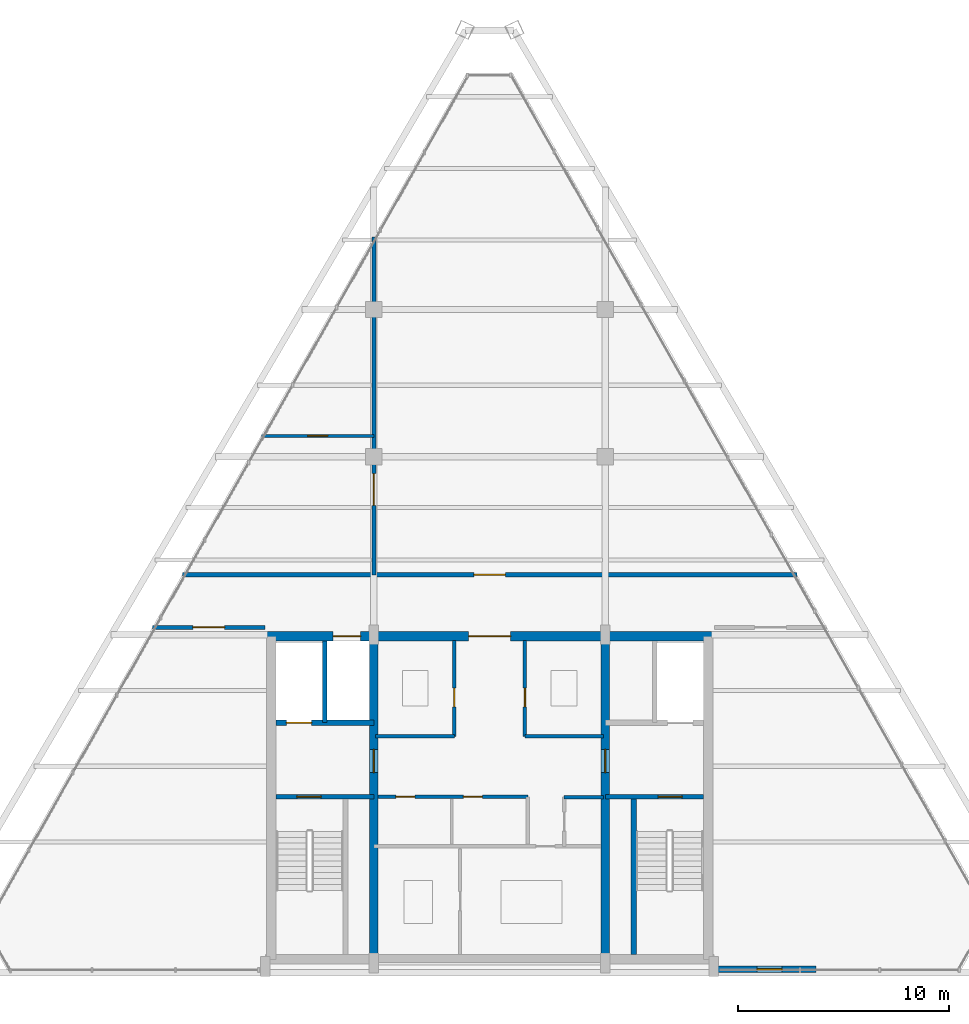
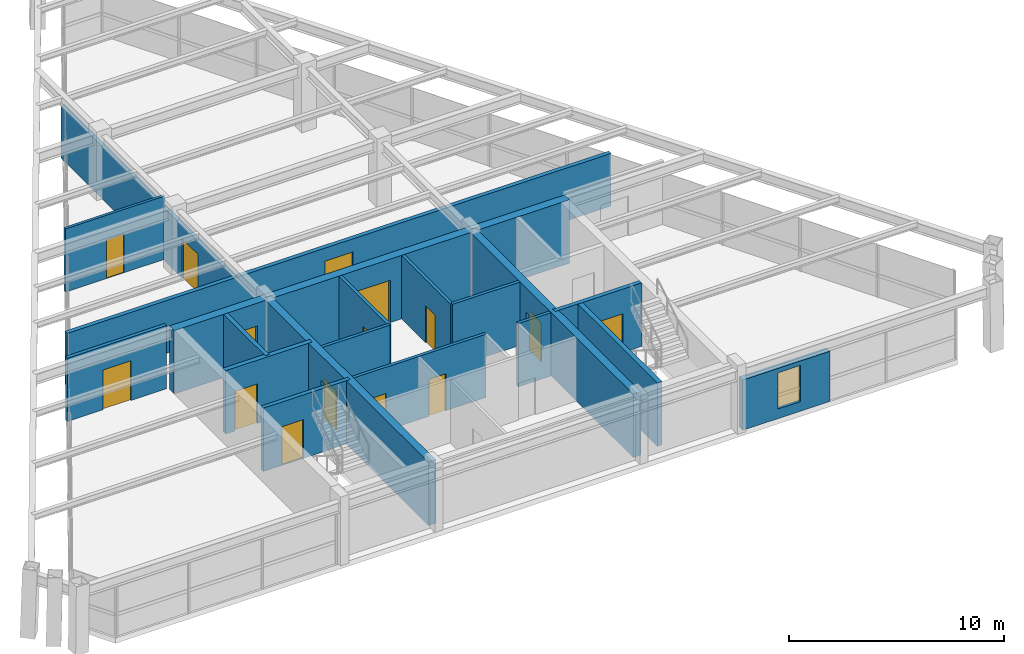
# One storey, part 10 of 12: 19 walls, 15 doors, 1 window, 16 openings.
"""IFC4 building model written with IfcOpenShell, lengths in metres."""

from ifc_helpers import new_model, si_unit, direction, frame, frame_2d, origin, place, context, subcontext, project, spatial, rectangle, extrude, source, transform, mapped, material, layer, layer_set, type_object, type_shapes, element, fill, save


model = new_model("IFC4")

# Units and contexts
model_context = context("Model", 3, precision=1e-05, world=origin(), true_north=direction((0.0, 1.0)))
body_context = subcontext(model_context, "Body", "Model", "MODEL_VIEW")
ifc_project = project(units=[si_unit("LENGTHUNIT", "METRE"), si_unit("AREAUNIT", "SQUARE_METRE"), si_unit("VOLUMEUNIT", "CUBIC_METRE"), si_unit("PLANEANGLEUNIT", "RADIAN"), si_unit("MASSUNIT", "GRAM", prefix="KILO")], contexts=[model_context])

# Site, building, storey
site_placement = place(None, origin())
site = spatial("IfcSite", under=ifc_project, at=site_placement, CompositionType="ELEMENT")
building_placement = place(site_placement, origin())
building = spatial("IfcBuilding", under=site, at=building_placement, Name="Varnakhor Terracotta Tower", CompositionType="ELEMENT")
storey_placement = place(building_placement, frame((0.0, 0.0, 313.60009765625)))
storey = spatial("IfcBuildingStorey", under=building, at=storey_placement, Name="L82 Crown", CompositionType="ELEMENT", Elevation=313.60009765625)

# Wall, openings, doors
ifc_material_1 = material(Name="Concrete C50/60", Category="concrete")
ifc_layer_1 = layer(ifc_material_1, 0.449951171875, Name="Concrete C50/60")
ifc_layer_set_1 = layer_set([ifc_layer_1], Name="Concrete C50/60")
wall_type_1 = type_object("IfcWallType", Name="WAL-CORE-450", PredefinedType="SHEAR", material=ifc_layer_set_1)
wall_1_placement = place(storey_placement, frame((-10.60009765625, 15.97509765625, 0.0), z_axis=(0.0, 0.0, 1.0), x_axis=(1.0, 0.0, 0.0)))
wall_1 = element("IfcWall", 1, at=wall_1_placement, inside=storey, type_object=wall_type_1, Name="L82 Crown North Core Shear Wall", PredefinedType="SHEAR", context=body_context, shape_type="SweptSolid", body=[
    extrude(rectangle(XDim=21.2001953125, YDim=0.449951171875, at=frame_2d((10.60009765625, 0.0))), origin(), (0.0, 0.0, 1.0), 3.599853515625),
])
opening_1_placement = place(wall_1_placement, frame((3.169921875, 0.0, 0.0)))
opening_1 = element("IfcOpeningElement", 2, at=opening_1_placement, cuts=wall_1, Name="Opening LD-03", PredefinedType="OPENING", context=body_context, shape_type="SweptSolid", body=[
    extrude(rectangle(XDim=1.300048828125, YDim=2.300048828125, at=frame_2d((0.64990234375, 1.14990234375))), frame((0.0, 0.23486328125, 0.0), z_axis=(0.0, -1.0, 0.0), x_axis=(1.0, 0.0, 0.0)), (0.0, 0.0, 1.0), 0.469970703125),
])
opening_2_placement = place(wall_1_placement, frame((9.60009765625, 0.0, 0.0)))
opening_2 = element("IfcOpeningElement", 3, at=opening_2_placement, cuts=wall_1, Name="Opening DR-32", PredefinedType="OPENING", context=body_context, shape_type="SweptSolid", body=[
    extrude(rectangle(XDim=2.0, YDim=2.39990234375, at=frame_2d((1.0, 1.199951171875))), frame((0.0, 0.23486328125, 0.0), z_axis=(0.0, -1.0, 0.0), x_axis=(1.0, 0.0, 0.0)), (0.0, 0.0, 1.0), 0.469970703125),
])
ifc_material_2 = material(Name="Heavy-Duty Goods Sliding Lift Landing Door", Category="steel")
door_type_1 = type_object("IfcDoorType", Name="LD-SRV-1300X2300", OperationType="NOTDEFINED", PredefinedType="DOOR", material=ifc_material_2)
shared_shape_1 = source(origin(), body_context, "Body", "SweptSolid", [
    extrude(rectangle(XDim=1.300048828125, YDim=2.300048828125, at=frame_2d((0.64990234375, 1.14990234375))), frame((0.0, 0.02490234375, 0.0), z_axis=(0.0, -1.0, 0.0), x_axis=(1.0, 0.0, 0.0)), (0.0, 0.0, 1.0), 0.050048828125),
])
type_shapes(door_type_1, [shared_shape_1])
door_1_placement = place(opening_1_placement, origin())
door_1 = element("IfcDoor", 4, at=door_1_placement, inside=storey, type_object=door_type_1, Name="L82 Crown Service Lift SVL-1 Landing Door", OperationType="SLIDING_TO_RIGHT", OverallHeight=2.300048828125, OverallWidth=1.300048828125, PredefinedType="DOOR", context=body_context, shape_type="MappedRepresentation", body=[
    mapped(shared_shape_1, transform((0.0, 0.0, 0.0), scale=1.0)),
])
fill(opening_1, door_1)
ifc_material_3 = material(Name="Acoustic Double Assembly Fire Door", Category="wood")
door_type_2 = type_object("IfcDoorType", Name="DR-HALL-2000X2400", OperationType="NOTDEFINED", PredefinedType="DOOR", material=ifc_material_3)
shared_shape_2 = source(origin(), body_context, "Body", "SweptSolid", [
    extrude(rectangle(XDim=2.0, YDim=2.39990234375, at=frame_2d((1.0, 1.199951171875))), frame((0.0, 0.02490234375, 0.0), z_axis=(0.0, -1.0, 0.0), x_axis=(1.0, 0.0, 0.0)), (0.0, 0.0, 1.0), 0.050048828125),
])
type_shapes(door_type_2, [shared_shape_2])
door_2_placement = place(opening_2_placement, origin())
door_2 = element("IfcDoor", 5, at=door_2_placement, inside=storey, type_object=door_type_2, Name="L82 Crown Core Main Lobby Double Door", OperationType="DOUBLE_DOOR_SINGLE_SWING", OverallHeight=2.39990234375, OverallWidth=2.0, PredefinedType="DOOR", context=body_context, shape_type="MappedRepresentation", body=[
    mapped(shared_shape_2, transform((0.0, 0.0, 0.0), scale=1.0)),
])
fill(opening_2, door_2)

# Wall, opening, door
ifc_layer_2 = layer(ifc_material_1, 0.39990234375, Name="Concrete C50/60")
ifc_layer_set_2 = layer_set([ifc_layer_2], Name="Concrete C50/60")
wall_type_2 = type_object("IfcWallType", Name="WAL-CORE-WEB-400", PredefinedType="SHEAR", material=ifc_layer_set_2)
wall_2_placement = place(storey_placement, frame((-5.5, 0.625, 0.0), z_axis=(0.0, 0.0, 1.0), x_axis=(0.0, 1.0, 0.0)))
wall_2 = element("IfcWall", 6, at=wall_2_placement, inside=storey, type_object=wall_type_2, Name="L82 Crown West Core Web Shear Wall", PredefinedType="SHEAR", context=body_context, shape_type="SweptSolid", body=[
    extrude(rectangle(XDim=15.35009765625, YDim=0.39990234375, at=frame_2d((7.675048828125, 0.0))), origin(), (0.0, 0.0, 1.0), 3.599853515625),
])
opening_3_placement = place(wall_2_placement, frame((8.875, 0.0, 0.0)))
opening_3 = element("IfcOpeningElement", 7, at=opening_3_placement, cuts=wall_2, Name="Opening DR-25", PredefinedType="OPENING", context=body_context, shape_type="SweptSolid", body=[
    extrude(rectangle(XDim=1.10009765625, YDim=2.199951171875, at=frame_2d((0.550048828125, 1.10009765625))), frame((0.0, 0.2099609375, 0.0), z_axis=(0.0, -1.0, 0.0), x_axis=(1.0, 0.0, 0.0)), (0.0, 0.0, 1.0), 0.419921875),
])
ifc_material_4 = material(Name="Firefighting Lobby Self-Closing Fire Door", Category="steel")
door_type_3 = type_object("IfcDoorType", Name="DR-FFL-1100X2200", OperationType="NOTDEFINED", PredefinedType="DOOR", material=ifc_material_4)
shared_shape_3 = source(origin(), body_context, "Body", "SweptSolid", [
    extrude(rectangle(XDim=1.10009765625, YDim=2.199951171875, at=frame_2d((0.550048828125, 1.10009765625))), frame((0.0, 0.02490234375, 0.0), z_axis=(0.0, -1.0, 0.0), x_axis=(1.0, 0.0, 0.0)), (0.0, 0.0, 1.0), 0.050048828125),
])
type_shapes(door_type_3, [shared_shape_3])
door_3_placement = place(opening_3_placement, origin())
door_3 = element("IfcDoor", 8, at=door_3_placement, inside=storey, type_object=door_type_3, Name="L82 Crown West Firefighting Lobby Door", OperationType="SINGLE_SWING_RIGHT", OverallHeight=2.199951171875, OverallWidth=1.10009765625, PredefinedType="DOOR", context=body_context, shape_type="MappedRepresentation", body=[
    mapped(shared_shape_3, transform((0.0, 0.0, 0.0), scale=1.0)),
])
fill(opening_3, door_3)

wall_3_placement = place(storey_placement, frame((5.5, 0.625, 0.0), z_axis=(0.0, 0.0, 1.0), x_axis=(0.0, 1.0, 0.0)))
wall_3 = element("IfcWall", 9, at=wall_3_placement, inside=storey, type_object=wall_type_2, Name="L82 Crown East Core Web Shear Wall", PredefinedType="SHEAR", context=body_context, shape_type="SweptSolid", body=[
    extrude(rectangle(XDim=15.35009765625, YDim=0.39990234375, at=frame_2d((7.675048828125, 0.0))), origin(), (0.0, 0.0, 1.0), 3.599853515625),
])
opening_4_placement = place(wall_3_placement, frame((8.875, 0.0, 0.0)))
opening_4 = element("IfcOpeningElement", 10, at=opening_4_placement, cuts=wall_3, Name="Opening DR-25", PredefinedType="OPENING", context=body_context, shape_type="SweptSolid", body=[
    extrude(rectangle(XDim=1.10009765625, YDim=2.199951171875, at=frame_2d((0.550048828125, 1.10009765625))), frame((0.0, 0.2099609375, 0.0), z_axis=(0.0, -1.0, 0.0), x_axis=(1.0, 0.0, 0.0)), (0.0, 0.0, 1.0), 0.419921875),
])
door_4_placement = place(opening_4_placement, origin())
door_4 = element("IfcDoor", 11, at=door_4_placement, inside=storey, type_object=door_type_3, Name="L82 Crown East Firefighting Lobby Door", OperationType="SINGLE_SWING_RIGHT", OverallHeight=2.199951171875, OverallWidth=1.10009765625, PredefinedType="DOOR", context=body_context, shape_type="MappedRepresentation", body=[
    mapped(shared_shape_3, transform((0.0, 0.0, 0.0), scale=1.0)),
])
fill(opening_4, door_4)

ifc_material_5 = material(Name="Fire-Rated Gypsum Stud Partition", Category="gypsum")
ifc_layer_3 = layer(ifc_material_5, 0.18505859375, Name="Fire-Rated Gypsum Stud Partition")
ifc_layer_set_3 = layer_set([ifc_layer_3], Name="Fire-Rated Gypsum Stud Partition")
wall_type_3 = type_object("IfcWallType", Name="WAL-CORR-185", PredefinedType="PARTITIONING", material=ifc_layer_set_3)
wall_4_placement = place(storey_placement, frame((-16.006591796875, 16.39990234375, 0.0), z_axis=(0.0, 0.0, 1.0), x_axis=(1.0, 0.0, 0.0)))
wall_4 = element("IfcWall", 12, at=wall_4_placement, inside=storey, type_object=wall_type_3, Name="L82 Crown West Plant Wall", PredefinedType="PARTITIONING", context=body_context, shape_type="SweptSolid", body=[
    extrude(rectangle(XDim=5.32666015625, YDim=0.18505859375, at=frame_2d((2.663330078125, 0.0))), origin(), (0.0, 0.0, 1.0), 3.591796875),
])
opening_5_placement = place(wall_4_placement, frame((1.913330078125, 0.0, 0.0)))
opening_5 = element("IfcOpeningElement", 13, at=opening_5_placement, cuts=wall_4, Name="Opening DR-30", PredefinedType="OPENING", context=body_context, shape_type="SweptSolid", body=[
    extrude(rectangle(XDim=1.5, YDim=2.25, at=frame_2d((0.75, 1.125))), frame((0.0, 0.1025390625, 0.0), z_axis=(0.0, -1.0, 0.0), x_axis=(1.0, 0.0, 0.0)), (0.0, 0.0, 1.0), 0.205078125),
])
ifc_material_6 = material(Name="Double Acoustic Conference Room Door", Category="wood")
door_type_4 = type_object("IfcDoorType", Name="DR-MEET-1500X2250", OperationType="NOTDEFINED", PredefinedType="DOOR", material=ifc_material_6)
shared_shape_4 = source(origin(), body_context, "Body", "SweptSolid", [
    extrude(rectangle(XDim=1.5, YDim=2.25, at=frame_2d((0.75, 1.125))), frame((0.0, 0.02490234375, 0.0), z_axis=(0.0, -1.0, 0.0), x_axis=(1.0, 0.0, 0.0)), (0.0, 0.0, 1.0), 0.050048828125),
])
type_shapes(door_type_4, [shared_shape_4])
door_5_placement = place(opening_5_placement, origin())
door_5 = element("IfcDoor", 14, at=door_5_placement, inside=storey, type_object=door_type_4, Name="L82 Crown West Mechanical Room Door", OperationType="DOUBLE_DOOR_SINGLE_SWING", OverallHeight=2.25, OverallWidth=1.5, PredefinedType="DOOR", context=body_context, shape_type="MappedRepresentation", body=[
    mapped(shared_shape_4, transform((0.0, 0.0, 0.0), scale=1.0)),
])
fill(opening_5, door_5)

wall_5_placement = place(storey_placement, frame((-5.5, 18.89990234375, 0.0), z_axis=(0.0, 0.0, 1.0), x_axis=(0.0, 1.0, 0.0)))
wall_5 = element("IfcWall", 15, at=wall_5_placement, inside=storey, type_object=wall_type_3, Name="L82 Crown Crown Plant Division Wall", PredefinedType="PARTITIONING", context=body_context, shape_type="SweptSolid", body=[
    extrude(rectangle(XDim=16.03369140625, YDim=0.18505859375, at=frame_2d((8.016845703125, 0.0))), origin(), (0.0, 0.0, 1.0), 2.991943359375),
])
opening_6_placement = place(wall_5_placement, frame((3.300048828125, 0.0, 0.0)))
opening_6 = element("IfcOpeningElement", 16, at=opening_6_placement, cuts=wall_5, Name="Opening DR-30", PredefinedType="OPENING", context=body_context, shape_type="SweptSolid", body=[
    extrude(rectangle(XDim=1.5, YDim=2.25, at=frame_2d((0.75, 1.125))), frame((0.0, 0.1025390625, 0.0), z_axis=(0.0, -1.0, 0.0), x_axis=(1.0, 0.0, 0.0)), (0.0, 0.0, 1.0), 0.205078125),
])
door_6_placement = place(opening_6_placement, origin())
door_6 = element("IfcDoor", 17, at=door_6_placement, inside=storey, type_object=door_type_4, Name="L82 Crown Crown Plant Door", OperationType="DOUBLE_DOOR_SINGLE_SWING", OverallHeight=2.25, OverallWidth=1.5, PredefinedType="DOOR", context=body_context, shape_type="MappedRepresentation", body=[
    mapped(shared_shape_4, transform((0.0, 0.0, 0.0), scale=1.0)),
])
fill(opening_6, door_6)

# Wall, opening, window
ifc_material_7 = material(Name="Extruded Architectural Terracotta Assembly", Category="masonry")
ifc_layer_4 = layer(ifc_material_7, 0.320068359375, Name="Extruded Architectural Terracotta Assembly")
ifc_layer_set_4 = layer_set([ifc_layer_4], Name="Extruded Architectural Terracotta Assembly")
wall_type_4 = type_object("IfcWallType", Name="WAL-EXT-TERRACOTTA-320", PredefinedType="SOLIDWALL", material=ifc_layer_set_4)
wall_6_placement = place(storey_placement, frame((15.5, 0.159912109375, 0.0), z_axis=(0.0, 0.0, 1.0), x_axis=(-1.0, 0.0, 0.0)))
wall_6 = element("IfcWall", 18, at=wall_6_placement, inside=storey, type_object=wall_type_4, Name="L82 Crown South Crown Terracotta Spandrel Wall", PredefinedType="SOLIDWALL", context=body_context, shape_type="SweptSolid", body=[
    extrude(rectangle(XDim=4.699951171875, YDim=0.320068359375, at=frame_2d((2.35009765625, 0.0))), origin(), (0.0, 0.0, 1.0), 2.849853515625),
])
opening_7_placement = place(wall_6_placement, frame((1.60009765625, 0.0, 0.550048828125)))
opening_7 = element("IfcOpeningElement", 19, at=opening_7_placement, cuts=wall_6, Name="Opening WN-55", PredefinedType="OPENING", context=body_context, shape_type="SweptSolid", body=[
    extrude(rectangle(XDim=1.199951171875, YDim=2.050048828125, at=frame_2d((0.60009765625, 1.02490234375))), frame((0.0, 0.169921875, 0.0), z_axis=(0.0, -1.0, 0.0), x_axis=(1.0, 0.0, 0.0)), (0.0, 0.0, 1.0), 0.340087890625),
])
ifc_material_8 = material(Name="Solar-Control Low-E Insulated Glass Unit", Category="glass")
window_type = type_object("IfcWindowType", Name="WIN-CRN-1200X2200", PartitioningType="SINGLE_PANEL", PredefinedType="WINDOW", material=ifc_material_8)
shared_shape_5 = source(origin(), body_context, "Body", "SweptSolid", [
    extrude(rectangle(XDim=1.199951171875, YDim=2.050048828125, at=frame_2d((0.60009765625, 1.02490234375))), frame((0.0, 0.030029296875, 0.0), z_axis=(0.0, -1.0, 0.0), x_axis=(1.0, 0.0, 0.0)), (0.0, 0.0, 1.0), 0.06005859375),
])
type_shapes(window_type, [shared_shape_5])
window_placement = place(opening_7_placement, origin())
window = element("IfcWindow", 20, at=window_placement, inside=storey, type_object=window_type, Name="L82 Crown Crown Slot Window", OverallHeight=2.050048828125, OverallWidth=1.199951171875, PartitioningType="SINGLE_PANEL", PredefinedType="WINDOW", context=body_context, shape_type="MappedRepresentation", body=[
    mapped(shared_shape_5, transform((0.0, 0.0, 0.0), scale=1.0)),
])
fill(opening_7, window)

# Wall, opening, door
ifc_material_9 = material(Name="Concrete C40/50", Category="concrete")
ifc_layer_5 = layer(ifc_material_9, 0.219970703125, Name="Concrete C40/50")
ifc_layer_set_5 = layer_set([ifc_layer_5], Name="Concrete C40/50")
wall_type_5 = type_object("IfcWallType", Name="WAL-FFLOBBY-220", PredefinedType="SOLIDWALL", material=ifc_layer_set_5)
wall_7_placement = place(storey_placement, frame((-5.5, 8.35009765625, 0.0), z_axis=(0.0, 0.0, 1.0), x_axis=(-1.0, 0.0, 0.0)))
wall_7 = element("IfcWall", 21, at=wall_7_placement, inside=storey, type_object=wall_type_5, Name="L82 Crown West Firefighting Lobby Stair Wall", PredefinedType="SOLIDWALL", context=body_context, shape_type="SweptSolid", body=[
    extrude(rectangle(XDim=4.64990234375, YDim=0.219970703125, at=frame_2d((2.324951171875, 0.0))), origin(), (0.0, 0.0, 1.0), 3.599853515625),
])
opening_8_placement = place(wall_7_placement, frame((2.5, 0.0, 0.0)))
opening_8 = element("IfcOpeningElement", 22, at=opening_8_placement, cuts=wall_7, Name="Opening DR-34", PredefinedType="OPENING", context=body_context, shape_type="SweptSolid", body=[
    extrude(rectangle(XDim=1.14990234375, YDim=2.199951171875, at=frame_2d((0.574951171875, 1.10009765625))), frame((0.0, 0.1201171875, 0.0), z_axis=(0.0, -1.0, 0.0), x_axis=(1.0, 0.0, 0.0)), (0.0, 0.0, 1.0), 0.239990234375),
])
ifc_material_10 = material(Name="Self-Closing Smoke-Sealed Steel Fire Door", Category="steel")
door_type_5 = type_object("IfcDoorType", Name="DR-STAIR-1150X2200", OperationType="NOTDEFINED", PredefinedType="DOOR", material=ifc_material_10)
shared_shape_6 = source(origin(), body_context, "Body", "SweptSolid", [
    extrude(rectangle(XDim=1.14990234375, YDim=2.199951171875, at=frame_2d((0.574951171875, 1.10009765625))), frame((0.0, 0.02490234375, 0.0), z_axis=(0.0, -1.0, 0.0), x_axis=(1.0, 0.0, 0.0)), (0.0, 0.0, 1.0), 0.050048828125),
])
type_shapes(door_type_5, [shared_shape_6])
door_7_placement = place(opening_8_placement, origin())
door_7 = element("IfcDoor", 23, at=door_7_placement, inside=storey, type_object=door_type_5, Name="L82 Crown Exit Stair ST-1 Fire Door", OperationType="SINGLE_SWING_LEFT", OverallHeight=2.199951171875, OverallWidth=1.14990234375, PredefinedType="DOOR", context=body_context, shape_type="MappedRepresentation", body=[
    mapped(shared_shape_6, transform((0.0, 0.0, 0.0), scale=1.0)),
])
fill(opening_8, door_7)

wall_8_placement = place(storey_placement, frame((10.14990234375, 8.35009765625, 0.0), z_axis=(0.0, 0.0, 1.0), x_axis=(-1.0, 0.0, 0.0)))
wall_8 = element("IfcWall", 24, at=wall_8_placement, inside=storey, type_object=wall_type_5, Name="L82 Crown East Firefighting Lobby Stair Wall", PredefinedType="SOLIDWALL", context=body_context, shape_type="SweptSolid", body=[
    extrude(rectangle(XDim=4.64990234375, YDim=0.219970703125, at=frame_2d((2.324951171875, 0.0))), origin(), (0.0, 0.0, 1.0), 3.599853515625),
])
opening_9_placement = place(wall_8_placement, frame((1.0, 0.0, 0.0)))
opening_9 = element("IfcOpeningElement", 25, at=opening_9_placement, cuts=wall_8, Name="Opening DR-34", PredefinedType="OPENING", context=body_context, shape_type="SweptSolid", body=[
    extrude(rectangle(XDim=1.14990234375, YDim=2.199951171875, at=frame_2d((0.574951171875, 1.10009765625))), frame((0.0, 0.1201171875, 0.0), z_axis=(0.0, -1.0, 0.0), x_axis=(1.0, 0.0, 0.0)), (0.0, 0.0, 1.0), 0.239990234375),
])
door_8_placement = place(opening_9_placement, origin())
door_8 = element("IfcDoor", 26, at=door_8_placement, inside=storey, type_object=door_type_5, Name="L82 Crown Exit Stair ST-2 Fire Door", OperationType="SINGLE_SWING_LEFT", OverallHeight=2.199951171875, OverallWidth=1.14990234375, PredefinedType="DOOR", context=body_context, shape_type="MappedRepresentation", body=[
    mapped(shared_shape_6, transform((0.0, 0.0, 0.0), scale=1.0)),
])
fill(opening_9, door_8)

wall_9_placement = place(storey_placement, frame((-14.58935546875, 18.89990234375, 0.0), z_axis=(0.0, 0.0, 1.0), x_axis=(1.0, 0.0, 0.0)))
wall_9 = element("IfcWall", 27, at=wall_9_placement, inside=storey, type_object=wall_type_5, Name="L82 Crown Plant Corridor Wall", PredefinedType="SOLIDWALL", context=body_context, shape_type="SweptSolid", body=[
    extrude(rectangle(XDim=29.1787109375, YDim=0.219970703125, at=frame_2d((14.58935546875, 0.0))), origin(), (0.0, 0.0, 1.0), 2.991943359375),
])
opening_10_placement = place(wall_9_placement, frame((13.83935546875, 0.0, 0.0)))
opening_10 = element("IfcOpeningElement", 28, at=opening_10_placement, cuts=wall_9, Name="Opening DR-30", PredefinedType="OPENING", context=body_context, shape_type="SweptSolid", body=[
    extrude(rectangle(XDim=1.5, YDim=2.25, at=frame_2d((0.75, 1.125))), frame((0.0, 0.1201171875, 0.0), z_axis=(0.0, -1.0, 0.0), x_axis=(1.0, 0.0, 0.0)), (0.0, 0.0, 1.0), 0.239990234375),
])
door_9_placement = place(opening_10_placement, origin())
door_9 = element("IfcDoor", 29, at=door_9_placement, inside=storey, type_object=door_type_4, Name="L82 Crown North Plant Access Door", OperationType="DOUBLE_DOOR_SINGLE_SWING", OverallHeight=2.25, OverallWidth=1.5, PredefinedType="DOOR", context=body_context, shape_type="MappedRepresentation", body=[
    mapped(shared_shape_4, transform((0.0, 0.0, 0.0), scale=1.0)),
])
fill(opening_10, door_9)

ifc_material_11 = material(Name="Acoustic Metal-Stud Partition", Category="gypsum")
ifc_layer_6 = layer(ifc_material_11, 0.139892578125, Name="Acoustic Metal-Stud Partition")
ifc_layer_set_6 = layer_set([ifc_layer_6], Name="Acoustic Metal-Stud Partition")
wall_type_6 = type_object("IfcWallType", Name="WAL-PART-140", PredefinedType="PARTITIONING", material=ifc_layer_set_6)
wall_10_placement = place(storey_placement, frame((-10.847900390625, 25.5, 0.0), z_axis=(0.0, 0.0, 1.0), x_axis=(1.0, 0.0, 0.0)))
wall_10 = element("IfcWall", 30, at=wall_10_placement, inside=storey, type_object=wall_type_6, Name="L82 Crown Crown Sub-Plant Wall", PredefinedType="PARTITIONING", context=body_context, shape_type="SweptSolid", body=[
    extrude(rectangle(XDim=5.347900390625, YDim=0.139892578125, at=frame_2d((2.673828125, 0.0))), origin(), (0.0, 0.0, 1.0), 3.591796875),
])
opening_11_placement = place(wall_10_placement, frame((2.198974609375, 0.0, 0.0)))
opening_11 = element("IfcOpeningElement", 31, at=opening_11_placement, cuts=wall_10, Name="Opening DR-94", PredefinedType="OPENING", context=body_context, shape_type="SweptSolid", body=[
    extrude(rectangle(XDim=0.949951171875, YDim=2.199951171875, at=frame_2d((0.47509765625, 1.10009765625))), frame((0.0, 0.080078125, 0.0), z_axis=(0.0, -1.0, 0.0), x_axis=(1.0, 0.0, 0.0)), (0.0, 0.0, 1.0), 0.159912109375),
])
ifc_material_12 = material(Name="Acoustic Glazed-Vision Timber Office Door", Category="wood")
door_type_6 = type_object("IfcDoorType", Name="DR-OFF-950X2200", OperationType="NOTDEFINED", PredefinedType="DOOR", material=ifc_material_12)
shared_shape_7 = source(origin(), body_context, "Body", "SweptSolid", [
    extrude(rectangle(XDim=0.949951171875, YDim=2.199951171875, at=frame_2d((0.47509765625, 1.10009765625))), frame((0.0, 0.02490234375, 0.0), z_axis=(0.0, -1.0, 0.0), x_axis=(1.0, 0.0, 0.0)), (0.0, 0.0, 1.0), 0.050048828125),
])
type_shapes(door_type_6, [shared_shape_7])
door_10_placement = place(opening_11_placement, origin())
door_10 = element("IfcDoor", 32, at=door_10_placement, inside=storey, type_object=door_type_6, Name="L82 Crown Crown Aux Door", OperationType="SINGLE_SWING_RIGHT", OverallHeight=2.199951171875, OverallWidth=0.949951171875, PredefinedType="DOOR", context=body_context, shape_type="MappedRepresentation", body=[
    mapped(shared_shape_7, transform((0.0, 0.0, 0.0), scale=1.0)),
])
fill(opening_11, door_10)

# Wall
ifc_layer_7 = layer(ifc_material_9, 0.219970703125, Name="Concrete C40/50")
ifc_layer_set_7 = layer_set([ifc_layer_7], Name="Concrete C40/50")
wall_type_7 = type_object("IfcWallType", Name="WAL-SHAFT-220", PredefinedType="SOLIDWALL", material=ifc_layer_set_7)
wall_11_placement = place(storey_placement, frame((-7.840087890625, 11.8701171875, 0.0), z_axis=(0.0, 0.0, 1.0), x_axis=(0.0, 1.0, 0.0)))
element("IfcWall", 33, at=wall_11_placement, inside=storey, type_object=wall_type_7, Name="L82 Crown Lift FFL-1 and SVL-1 Divider Wall", PredefinedType="SOLIDWALL", context=body_context, shape_type="SweptSolid", body=[
    extrude(rectangle(XDim=3.8798828125, YDim=0.219970703125, at=frame_2d((1.93994140625, 0.0))), origin(), (0.0, 0.0, 1.0), 3.599853515625),
])

# Wall, opening, door
ifc_layer_8 = layer(ifc_material_9, 0.25, Name="Concrete C40/50")
ifc_layer_set_8 = layer_set([ifc_layer_8], Name="Concrete C40/50")
wall_type_8 = type_object("IfcWallType", Name="WAL-SHAFT-250", PredefinedType="SOLIDWALL", material=ifc_layer_set_8)
wall_12_placement = place(storey_placement, frame((-5.5, 11.8701171875, 0.0), z_axis=(0.0, 0.0, 1.0), x_axis=(-1.0, 0.0, 0.0)))
wall_12 = element("IfcWall", 34, at=wall_12_placement, inside=storey, type_object=wall_type_8, Name="L82 Crown Lift FFL-1 Shaft Front Wall", PredefinedType="SOLIDWALL", context=body_context, shape_type="SweptSolid", body=[
    extrude(rectangle(XDim=4.64990234375, YDim=0.25, at=frame_2d((2.324951171875, 0.0))), origin(), (0.0, 0.0, 1.0), 3.599853515625),
])
opening_12_placement = place(wall_12_placement, frame((2.949951171875, 0.0, 0.0)))
opening_12 = element("IfcOpeningElement", 35, at=opening_12_placement, cuts=wall_12, Name="Opening LD-02", PredefinedType="OPENING", context=body_context, shape_type="SweptSolid", body=[
    extrude(rectangle(XDim=1.199951171875, YDim=2.25, at=frame_2d((0.60009765625, 1.125))), frame((0.0, 0.135009765625, 0.0), z_axis=(0.0, -1.0, 0.0), x_axis=(1.0, 0.0, 0.0)), (0.0, 0.0, 1.0), 0.27001953125),
])
ifc_material_13 = material(Name="Firefighting Stretcher Sliding Lift Landing Door", Category="steel")
door_type_7 = type_object("IfcDoorType", Name="LD-FFL-1200X2250", OperationType="NOTDEFINED", PredefinedType="DOOR", material=ifc_material_13)
shared_shape_8 = source(origin(), body_context, "Body", "SweptSolid", [
    extrude(rectangle(XDim=1.199951171875, YDim=2.25, at=frame_2d((0.60009765625, 1.125))), frame((0.0, 0.02490234375, 0.0), z_axis=(0.0, -1.0, 0.0), x_axis=(1.0, 0.0, 0.0)), (0.0, 0.0, 1.0), 0.050048828125),
])
type_shapes(door_type_7, [shared_shape_8])
door_11_placement = place(opening_12_placement, origin())
door_11 = element("IfcDoor", 36, at=door_11_placement, inside=storey, type_object=door_type_7, Name="L82 Crown Firefighting Lift FFL-1 Landing Door", OperationType="SLIDING_TO_LEFT", OverallHeight=2.25, OverallWidth=1.199951171875, PredefinedType="DOOR", context=body_context, shape_type="MappedRepresentation", body=[
    mapped(shared_shape_8, transform((0.0, 0.0, 0.0), scale=1.0)),
])
fill(opening_12, door_11)

# Walls
wall_13_placement = place(storey_placement, frame((6.85009765625, 0.85009765625, 0.0), z_axis=(0.0, 0.0, 1.0), x_axis=(0.0, 1.0, 0.0)))
element("IfcWall", 37, at=wall_13_placement, inside=storey, type_object=wall_type_8, Name="L82 Crown Stair ST-2 Bearing Shaft Wall", PredefinedType="SOLIDWALL", context=body_context, shape_type="SweptSolid", body=[
    extrude(rectangle(XDim=7.5, YDim=0.25, at=frame_2d((3.75, 0.0))), origin(), (0.0, 0.0, 1.0), 3.599853515625),
])
ifc_material_14 = material(Name="Acoustic Fire-Rated Partition", Category="gypsum")
ifc_layer_9 = layer(ifc_material_14, 0.1650390625, Name="Acoustic Fire-Rated Partition")
ifc_layer_set_9 = layer_set([ifc_layer_9], Name="Acoustic Fire-Rated Partition")
wall_type_9 = type_object("IfcWallType", Name="WAL-TENANCY-165", PredefinedType="PARTITIONING", material=ifc_layer_set_9)
wall_14_placement = place(storey_placement, frame((3.5400390625, 8.340087890625, 0.0), z_axis=(0.0, 0.0, 1.0), x_axis=(1.0, 0.0, 0.0)))
element("IfcWall", 38, at=wall_14_placement, inside=storey, type_object=wall_type_9, Name="L82 Crown Accessible WC North Wall", PredefinedType="PARTITIONING", context=body_context, shape_type="SweptSolid", body=[
    extrude(rectangle(XDim=1.8798828125, YDim=0.1650390625, at=frame_2d((0.93994140625, 0.0))), origin(), (0.0, 0.0, 1.0), 3.591796875),
])

# Wall, openings, doors
wall_15_placement = place(storey_placement, frame((-5.300048828125, 8.35009765625, 0.0), z_axis=(0.0, 0.0, 1.0), x_axis=(1.0, 0.0, 0.0)))
wall_15 = element("IfcWall", 39, at=wall_15_placement, inside=storey, type_object=wall_type_9, Name="L82 Crown Reclaimed Mid-Core North Wall", PredefinedType="PARTITIONING", context=body_context, shape_type="SweptSolid", body=[
    extrude(rectangle(XDim=7.1201171875, YDim=0.1650390625, at=frame_2d((3.56005859375, 0.0))), origin(), (0.0, 0.0, 1.0), 3.591796875),
])
opening_13_placement = place(wall_15_placement, frame((0.85009765625, 0.0, 0.0)))
opening_13 = element("IfcOpeningElement", 40, at=opening_13_placement, cuts=wall_15, Name="Opening DR-67", PredefinedType="OPENING", context=body_context, shape_type="SweptSolid", body=[
    extrude(rectangle(XDim=0.89990234375, YDim=2.10009765625, at=frame_2d((0.449951171875, 1.050048828125))), frame((0.0, 0.092529296875, 0.0), z_axis=(0.0, -1.0, 0.0), x_axis=(1.0, 0.0, 0.0)), (0.0, 0.0, 1.0), 0.18505859375),
])
opening_14_placement = place(wall_15_placement, frame((4.050048828125, 0.0, 0.0)))
opening_14 = element("IfcOpeningElement", 41, at=opening_14_placement, cuts=wall_15, Name="Opening DR-67", PredefinedType="OPENING", context=body_context, shape_type="SweptSolid", body=[
    extrude(rectangle(XDim=0.89990234375, YDim=2.10009765625, at=frame_2d((0.449951171875, 1.050048828125))), frame((0.0, 0.092529296875, 0.0), z_axis=(0.0, -1.0, 0.0), x_axis=(1.0, 0.0, 0.0)), (0.0, 0.0, 1.0), 0.18505859375),
])
ifc_material_15 = material(Name="Steel Service Riser Fire Door", Category="steel")
door_type_8 = type_object("IfcDoorType", Name="DR-RISER-900X2100", OperationType="NOTDEFINED", PredefinedType="DOOR", material=ifc_material_15)
shared_shape_9 = source(origin(), body_context, "Body", "SweptSolid", [
    extrude(rectangle(XDim=0.89990234375, YDim=2.10009765625, at=frame_2d((0.449951171875, 1.050048828125))), frame((0.0, 0.02490234375, 0.0), z_axis=(0.0, -1.0, 0.0), x_axis=(1.0, 0.0, 0.0)), (0.0, 0.0, 1.0), 0.050048828125),
])
type_shapes(door_type_8, [shared_shape_9])
door_12_placement = place(opening_13_placement, origin())
door_12 = element("IfcDoor", 42, at=door_12_placement, inside=storey, type_object=door_type_8, Name="L82 Crown Core West Restroom Door", OperationType="SINGLE_SWING_RIGHT", OverallHeight=2.10009765625, OverallWidth=0.89990234375, PredefinedType="DOOR", context=body_context, shape_type="MappedRepresentation", body=[
    mapped(shared_shape_9, transform((0.0, 0.0, 0.0), scale=1.0)),
])
fill(opening_13, door_12)
door_13_placement = place(opening_14_placement, origin())
door_13 = element("IfcDoor", 43, at=door_13_placement, inside=storey, type_object=door_type_8, Name="L82 Crown Core East Restroom Door", OperationType="SINGLE_SWING_LEFT", OverallHeight=2.10009765625, OverallWidth=0.89990234375, PredefinedType="DOOR", context=body_context, shape_type="MappedRepresentation", body=[
    mapped(shared_shape_9, transform((0.0, 0.0, 0.0), scale=1.0)),
])
fill(opening_14, door_13)

# Wall, opening, door
wall_16_placement = place(storey_placement, frame((-1.679931640625, 11.219970703125, 0.0), z_axis=(0.0, 0.0, 1.0), x_axis=(0.0, 1.0, 0.0)))
wall_16 = element("IfcWall", 44, at=wall_16_placement, inside=storey, type_object=wall_type_9, Name="L82 Crown Core North West Rated Wall", PredefinedType="PARTITIONING", context=body_context, shape_type="SweptSolid", body=[
    extrude(rectangle(XDim=4.56005859375, YDim=0.1650390625, at=frame_2d((2.280029296875, 0.0))), origin(), (0.0, 0.0, 1.0), 3.591796875),
])
opening_15_placement = place(wall_16_placement, frame((1.39990234375, 0.0, 0.0)))
opening_15 = element("IfcOpeningElement", 45, at=opening_15_placement, cuts=wall_16, Name="Opening DR-67", PredefinedType="OPENING", context=body_context, shape_type="SweptSolid", body=[
    extrude(rectangle(XDim=0.89990234375, YDim=2.10009765625, at=frame_2d((0.449951171875, 1.050048828125))), frame((0.0, 0.092529296875, 0.0), z_axis=(0.0, -1.0, 0.0), x_axis=(1.0, 0.0, 0.0)), (0.0, 0.0, 1.0), 0.18505859375),
])
door_14_placement = place(opening_15_placement, origin())
door_14 = element("IfcDoor", 46, at=door_14_placement, inside=storey, type_object=door_type_8, Name="L82 Crown Lift Motor Room Door", OperationType="SINGLE_SWING_RIGHT", OverallHeight=2.10009765625, OverallWidth=0.89990234375, PredefinedType="DOOR", context=body_context, shape_type="MappedRepresentation", body=[
    mapped(shared_shape_9, transform((0.0, 0.0, 0.0), scale=1.0)),
])
fill(opening_15, door_14)

# Wall
wall_17_placement = place(storey_placement, frame((-5.419921875, 11.219970703125, 0.0), z_axis=(0.0, 0.0, 1.0), x_axis=(1.0, 0.0, 0.0)))
element("IfcWall", 47, at=wall_17_placement, inside=storey, type_object=wall_type_9, Name="L82 Crown Core North West South Wall", PredefinedType="PARTITIONING", context=body_context, shape_type="SweptSolid", body=[
    extrude(rectangle(XDim=3.739990234375, YDim=0.1650390625, at=frame_2d((1.8701171875, 0.0))), origin(), (0.0, 0.0, 1.0), 3.591796875),
])

# Wall, opening, door
wall_18_placement = place(storey_placement, frame((1.679931640625, 11.219970703125, 0.0), z_axis=(0.0, 0.0, 1.0), x_axis=(0.0, 1.0, 0.0)))
wall_18 = element("IfcWall", 48, at=wall_18_placement, inside=storey, type_object=wall_type_9, Name="L82 Crown Core North East Rated Wall", PredefinedType="PARTITIONING", context=body_context, shape_type="SweptSolid", body=[
    extrude(rectangle(XDim=4.56005859375, YDim=0.1650390625, at=frame_2d((2.280029296875, 0.0))), origin(), (0.0, 0.0, 1.0), 3.591796875),
])
opening_16_placement = place(wall_18_placement, frame((1.39990234375, 0.0, 0.0)))
opening_16 = element("IfcOpeningElement", 49, at=opening_16_placement, cuts=wall_18, Name="Opening DR-67", PredefinedType="OPENING", context=body_context, shape_type="SweptSolid", body=[
    extrude(rectangle(XDim=0.89990234375, YDim=2.10009765625, at=frame_2d((0.449951171875, 1.050048828125))), frame((0.0, 0.092529296875, 0.0), z_axis=(0.0, -1.0, 0.0), x_axis=(1.0, 0.0, 0.0)), (0.0, 0.0, 1.0), 0.18505859375),
])
door_15_placement = place(opening_16_placement, origin())
door_15 = element("IfcDoor", 50, at=door_15_placement, inside=storey, type_object=door_type_8, Name="L82 Crown Control Room Door", OperationType="SINGLE_SWING_LEFT", OverallHeight=2.10009765625, OverallWidth=0.89990234375, PredefinedType="DOOR", context=body_context, shape_type="MappedRepresentation", body=[
    mapped(shared_shape_9, transform((0.0, 0.0, 0.0), scale=1.0)),
])
fill(opening_16, door_15)

# Wall
wall_19_placement = place(storey_placement, frame((1.679931640625, 11.219970703125, 0.0), z_axis=(0.0, 0.0, 1.0), x_axis=(1.0, 0.0, 0.0)))
element("IfcWall", 51, at=wall_19_placement, inside=storey, type_object=wall_type_9, Name="L82 Crown Core North East South Wall", PredefinedType="PARTITIONING", context=body_context, shape_type="SweptSolid", body=[
    extrude(rectangle(XDim=3.739990234375, YDim=0.1650390625, at=frame_2d((1.8701171875, 0.0))), origin(), (0.0, 0.0, 1.0), 3.591796875),
])

save(model, "model.ifc")
